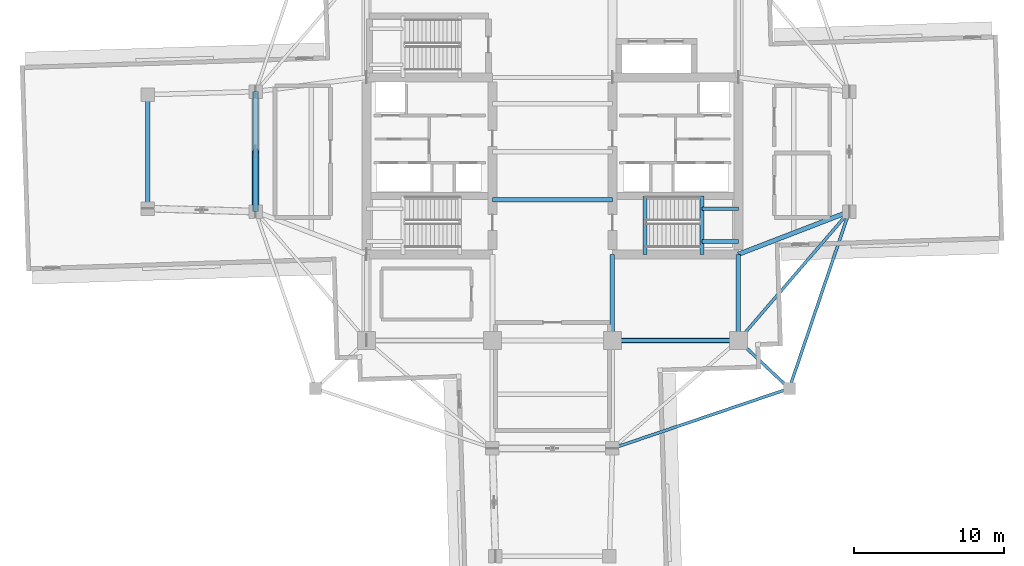
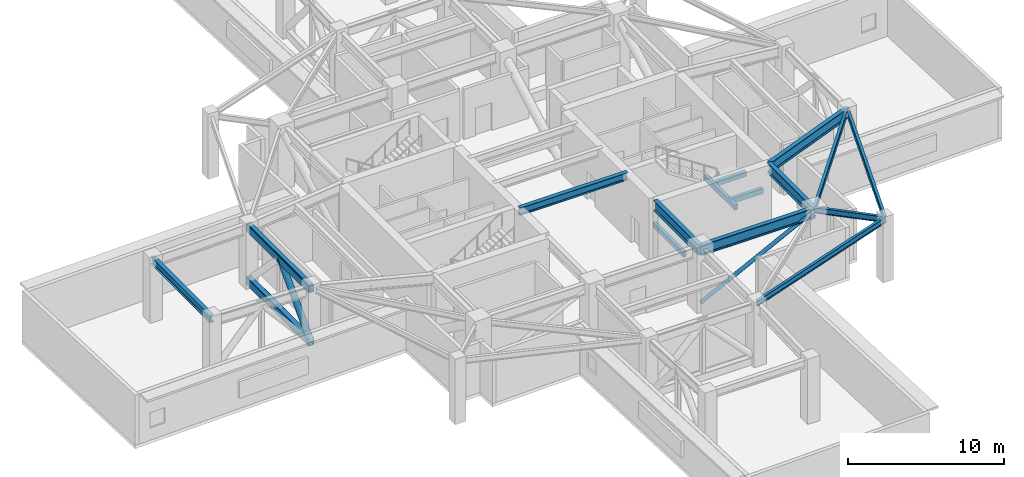
# One storey, part 3 of 17: 15 beams, 4 members.
"""IFC4 building model written with IfcOpenShell, lengths in metres."""

from ifc_helpers import new_model, si_unit, direction, frame, origin, origin_2d, place, context, subcontext, project, spatial, rectangle, hollow_rectangle, hollow_circle, i_section, extrude, material, material_profile, profile_set, type_object, element, save


model = new_model("IFC4")

# Units and contexts
model_context = context("Model", 3, precision=1e-05, world=origin(), true_north=direction((0.0, 1.0)))
body_context = subcontext(model_context, "Body", "Model", "MODEL_VIEW")
ifc_project = project(units=[si_unit("LENGTHUNIT", "METRE"), si_unit("AREAUNIT", "SQUARE_METRE"), si_unit("VOLUMEUNIT", "CUBIC_METRE"), si_unit("PLANEANGLEUNIT", "RADIAN"), si_unit("MASSUNIT", "GRAM", prefix="KILO")], contexts=[model_context])

# Site, building, storey
site_placement = place(None, origin())
site = spatial("IfcSite", under=ifc_project, at=site_placement, CompositionType="ELEMENT")
building_placement = place(site_placement, origin())
building = spatial("IfcBuilding", under=site, at=building_placement, Name="Qingluan Cross Belvedere", CompositionType="ELEMENT")
storey_placement = place(building_placement, frame((0.0, 0.0, 191.699951171875)))
storey = spatial("IfcBuildingStorey", under=building, at=storey_placement, Name="L48", CompositionType="ELEMENT", Elevation=191.699951171875)

# Beams
ifc_material_1 = material(Name="Concrete C45", Category="concrete")
ifc_material_profile_1 = material_profile(ifc_material_1, rectangle(XDim=0.25, YDim=0.39990234375, at=origin_2d()), Name="RC250x400")
ifc_profile_set_1 = profile_set([ifc_material_profile_1], Name="Concrete C45")
beam_type_1 = type_object("IfcBeamType", Name="RC_Lintel_RC250x400", PredefinedType="LINTEL", material=ifc_profile_set_1)
for number, where, z_axis, x_axis, name in (
    (1, (6.179931640625, -6.85009765625, -0.199951171875), (0.0, 1.0, 0.0), (-1.0, 0.0, 0.0), "Stair ST2 landing beam L48"),
    (2, (9.969970703125, -6.85009765625, 2.150146484375), (0.0, 1.0, 0.0), (-1.0, 0.0, 0.0), "Stair ST2 beam A L48"),
):
    element("IfcBeam", number, at=place(storey_placement, frame(where, z_axis=z_axis, x_axis=x_axis)), inside=storey, type_object=beam_type_1, Name=name, PredefinedType="LINTEL", context=body_context, shape_type="SweptSolid", body=[
        extrude(rectangle(XDim=0.25, YDim=0.39990234375, at=origin_2d()), origin(), (0.0, 0.0, 1.0), 3.89013671875),
    ])
for number, where, z_axis, x_axis, name in (
    (3, (12.39990234375, -6.0, 2.150146484375), (-1.0, 0.0, 0.0), (0.0, -1.0, 0.0), "Stair ST2 beam B L48"),
    (4, (12.39990234375, -3.81005859375, 2.150146484375), (-1.0, 0.0, 0.0), (0.0, -1.0, 0.0), "Stair ST2 beam C L48"),
):
    element("IfcBeam", number, at=place(storey_placement, frame(where, z_axis=z_axis, x_axis=x_axis)), inside=storey, type_object=beam_type_1, Name=name, PredefinedType="LINTEL", context=body_context, shape_type="SweptSolid", body=[
        extrude(rectangle(XDim=0.25, YDim=0.39990234375, at=origin_2d()), origin(), (0.0, 0.0, 1.0), 2.429931640625),
    ])

# Members
ifc_material_2 = material(Name="Steel Q420GJB", Category="steel")
ifc_material_profile_2 = material_profile(ifc_material_2, hollow_circle(Radius=0.228515625, WallThickness=0.02001953125, at=origin_2d()), Name="CHS457x20")
ifc_profile_set_2 = profile_set([ifc_material_profile_2], Name="Steel Q420GJB")
member_type_1 = type_object("IfcMemberType", Name="SteelMember_BRACE_CHS457x20", PredefinedType="BRACE", material=ifc_profile_set_2)
member_1_placement = place(storey_placement, frame((-19.800048828125, -4.0, 0.35009765625), z_axis=(0.0, 0.693983482825, 0.719990920475), x_axis=(-1.0, 0.0, 0.0)))
element("IfcMember", 5, at=member_1_placement, inside=storey, type_object=member_type_1, Name="Belt truss diagonal A L48-W", PredefinedType="BRACE", context=body_context, shape_type="SweptSolid", body=[
    extrude(hollow_circle(Radius=0.228515625, WallThickness=0.02001953125, at=origin_2d()), origin(), (0.0, 0.0, 1.0), 5.763916015625),
])
ifc_material_3 = material(Name="Steel Q420GJB", Category="steel")
ifc_material_profile_3 = material_profile(ifc_material_3, hollow_rectangle(XDim=0.39990234375, YDim=0.60009765625, WallThickness=0.02490234375, InnerFilletRadius=0.02490234375, OuterFilletRadius=0.050048828125, at=origin_2d()), Name="RHS600x400x25")
ifc_profile_set_3 = profile_set([ifc_material_profile_3], Name="Steel Q420GJB")
member_type_2 = type_object("IfcMemberType", Name="SteelMember_CHORD_RHS600x400x25", PredefinedType="CHORD", material=ifc_profile_set_3)
for number, where, z_axis, x_axis, name in (
    (6, (-19.800048828125, -4.0, 0.35009765625), (0.0, 1.0, 0.0), (-1.0, 0.0, 0.0), "Belt truss bottom chord L48-W"),
    (7, (-19.800048828125, -4.0, 4.5), (0.0, 1.0, 0.0), (-1.0, 0.0, 0.0), "Belt truss top chord L48-W"),
):
    element("IfcMember", number, at=place(storey_placement, frame(where, z_axis=z_axis, x_axis=x_axis)), inside=storey, type_object=member_type_2, Name=name, PredefinedType="CHORD", context=body_context, shape_type="SweptSolid", body=[
        extrude(hollow_rectangle(XDim=0.39990234375, YDim=0.60009765625, WallThickness=0.02490234375, InnerFilletRadius=0.02490234375, OuterFilletRadius=0.050048828125, at=origin_2d()), origin(), (0.0, 0.0, 1.0), 8.0),
    ])
ifc_material_4 = material(Name="Steel Q420GJB", Category="steel")
ifc_material_profile_4 = material_profile(ifc_material_4, hollow_circle(Radius=0.136474609375, WallThickness=0.011962890625, at=origin_2d()), Name="CHS273x12")
ifc_profile_set_4 = profile_set([ifc_material_profile_4], Name="Steel Q420GJB")
member_type_3 = type_object("IfcMemberType", Name="SteelMember_STRUT_CHS273x12", PredefinedType="STRUT", material=ifc_profile_set_4)
member_2_placement = place(storey_placement, frame((4.0, -12.60009765625, 0.300048828125), z_axis=(0.892290477913, 0.0, 0.45146174038), x_axis=(0.0, 1.0, 0.0)))
element("IfcMember", 8, at=member_2_placement, inside=storey, type_object=member_type_3, Name="Refuge hub lateral strut L48-SE", PredefinedType="STRUT", context=body_context, shape_type="SweptSolid", body=[
    extrude(hollow_circle(Radius=0.136474609375, WallThickness=0.011962890625, at=origin_2d()), origin(), (0.0, 0.0, 1.0), 9.413818359375),
])

# Beams
ifc_material_5 = material(Name="Steel Q420GJB", Category="steel")
ifc_material_profile_5 = material_profile(ifc_material_5, i_section(OverallWidth=0.300048828125, OverallDepth=0.587890625, WebThickness=0.011962890625, FlangeThickness=0.02001953125, FilletRadius=0.02392578125, at=origin_2d()), Name="HM588x300x12x20")
ifc_profile_set_5 = profile_set([ifc_material_profile_5], Name="Steel Q420GJB")
beam_type_2 = type_object("IfcBeamType", Name="Steel_Beam_HM588x300x12x20", PredefinedType="BEAM", material=ifc_profile_set_5)
for number, where, z_axis, x_axis, name in (
    (9, (-4.0, -3.199951171875, 4.55615234375), (1.0, 0.0, 0.0), (0.0, 1.0, 0.0), "Hall beam L48-CH1"),
    (10, (-19.800048828125, -4.0, 4.55615234375), (0.0, 1.0, 0.0), (-1.0, 0.0, 0.0), "Arm W tie L48"),
):
    element("IfcBeam", number, at=place(storey_placement, frame(where, z_axis=z_axis, x_axis=x_axis)), inside=storey, type_object=beam_type_2, Name=name, PredefinedType="BEAM", context=body_context, shape_type="SweptSolid", body=[
        extrude(i_section(OverallWidth=0.300048828125, OverallDepth=0.587890625, WebThickness=0.011962890625, FlangeThickness=0.02001953125, FilletRadius=0.02392578125, at=origin_2d()), origin(), (0.0, 0.0, 1.0), 8.0),
    ])
beam_1_placement = place(storey_placement, frame((-27.0, -3.800048828125, 4.55615234375), z_axis=(0.0, 1.0, 0.0), x_axis=(-1.0, 0.0, 0.0)))
element("IfcBeam", 11, at=beam_1_placement, inside=storey, type_object=beam_type_2, Name="Arm W tip transverse beam L48", PredefinedType="BEAM", context=body_context, shape_type="SweptSolid", body=[
    extrude(i_section(OverallWidth=0.300048828125, OverallDepth=0.587890625, WebThickness=0.011962890625, FlangeThickness=0.02001953125, FilletRadius=0.02392578125, at=origin_2d()), origin(), (0.0, 0.0, 1.0), 7.60009765625),
])
ifc_material_6 = material(Name="Steel Q420GJB", Category="steel")
ifc_material_profile_6 = material_profile(ifc_material_6, i_section(OverallWidth=0.199951171875, OverallDepth=0.449951171875, WebThickness=0.009033203125, FlangeThickness=0.013916015625, FilletRadius=0.01611328125, at=origin_2d()), Name="HN450x200x9x14")
ifc_profile_set_6 = profile_set([ifc_material_profile_6], Name="Steel Q420GJB")
beam_type_3 = type_object("IfcBeamType", Name="Steel_Beam_HN450x200x9x14", PredefinedType="JOIST", material=ifc_profile_set_6)
beam_2_placement = place(storey_placement, frame((12.39990234375, -12.60009765625, 4.625), z_axis=(0.728219948308, -0.685343495546, 0.0), x_axis=(0.685343495546, 0.728219948308, 0.0)))
element("IfcBeam", 12, at=beam_2_placement, inside=storey, type_object=beam_type_3, Name="Corner beam 1 L48-RSE", PredefinedType="JOIST", context=body_context, shape_type="SweptSolid", body=[
    extrude(i_section(OverallWidth=0.199951171875, OverallDepth=0.449951171875, WebThickness=0.009033203125, FlangeThickness=0.013916015625, FilletRadius=0.01611328125, at=origin_2d()), origin(), (0.0, 0.0, 1.0), 4.669189453125),
])
for number, where, z_axis, x_axis, name in (
    (13, (15.800048828125, -15.800048828125, 4.625), (-0.947066283324, -0.321038089628, 0.0), (0.321038089628, -0.947066283324, 0.0), "Corner beam 2 L48-RSE"),
    (14, (15.800048828125, -15.800048828125, 4.625), (0.321038089628, 0.947066283324, 0.0), (-0.947066283324, 0.321038089628, 0.0), "Corner beam 3 L48-RSE"),
):
    element("IfcBeam", number, at=place(storey_placement, frame(where, z_axis=z_axis, x_axis=x_axis)), inside=storey, type_object=beam_type_3, Name=name, PredefinedType="JOIST", context=body_context, shape_type="SweptSolid", body=[
        extrude(i_section(OverallWidth=0.199951171875, OverallDepth=0.449951171875, WebThickness=0.009033203125, FlangeThickness=0.013916015625, FilletRadius=0.01611328125, at=origin_2d()), origin(), (0.0, 0.0, 1.0), 12.45947265625),
    ])
beam_3_placement = place(storey_placement, frame((12.39990234375, -12.60009765625, 4.625), z_axis=(0.652245077546, 0.75800815221, 0.0), x_axis=(-0.75800815221, 0.652245077546, 0.0)))
element("IfcBeam", 15, at=beam_3_placement, inside=storey, type_object=beam_type_3, Name="Corner beam 4 L48-RSE", PredefinedType="JOIST", context=body_context, shape_type="SweptSolid", body=[
    extrude(i_section(OverallWidth=0.199951171875, OverallDepth=0.449951171875, WebThickness=0.009033203125, FlangeThickness=0.013916015625, FilletRadius=0.01611328125, at=origin_2d()), origin(), (0.0, 0.0, 1.0), 11.345703125),
])
ifc_material_7 = material(Name="Steel Q420GJB", Category="steel")
ifc_material_profile_7 = material_profile(ifc_material_7, i_section(OverallWidth=0.305908203125, OverallDepth=0.81396484375, WebThickness=0.02099609375, FlangeThickness=0.0400390625, FilletRadius=0.030029296875, at=origin_2d()), Name="HEM800")
ifc_profile_set_7 = profile_set([ifc_material_profile_7], Name="Steel Q420GJB")
beam_type_4 = type_object("IfcBeamType", Name="Steel_Girder_HEM800", PredefinedType="USERDEFINED", material=ifc_profile_set_7)
beam_4_placement = place(storey_placement, frame((4.0, -12.60009765625, 4.443115234375), z_axis=(1.0, 0.0, 0.0), x_axis=(0.0, 1.0, 0.0)))
element("IfcBeam", 16, at=beam_4_placement, inside=storey, type_object=beam_type_4, Name="Hub girder L48-HG-S3", ObjectType="GIRDER", PredefinedType="USERDEFINED", context=body_context, shape_type="SweptSolid", body=[
    extrude(i_section(OverallWidth=0.305908203125, OverallDepth=0.81396484375, WebThickness=0.02099609375, FlangeThickness=0.0400390625, FilletRadius=0.030029296875, at=origin_2d()), origin(), (0.0, 0.0, 1.0), 8.39990234375),
])
for number, where, z_axis, x_axis, name in (
    (17, (12.39990234375, -12.60009765625, 4.443115234375), (0.0, 1.0, 0.0), (-1.0, 0.0, 0.0), "Hub girder L48-HG-E1"),
    (18, (4.0, -12.60009765625, 4.443115234375), (0.0, 1.0, 0.0), (-1.0, 0.0, 0.0), "Hub girder L48-HG-CE"),
):
    element("IfcBeam", number, at=place(storey_placement, frame(where, z_axis=z_axis, x_axis=x_axis)), inside=storey, type_object=beam_type_4, Name=name, ObjectType="GIRDER", PredefinedType="USERDEFINED", context=body_context, shape_type="SweptSolid", body=[
        extrude(i_section(OverallWidth=0.305908203125, OverallDepth=0.81396484375, WebThickness=0.02099609375, FlangeThickness=0.0400390625, FilletRadius=0.030029296875, at=origin_2d()), origin(), (0.0, 0.0, 1.0), 5.75),
    ])
beam_5_placement = place(storey_placement, frame((12.39990234375, -6.85009765625, 4.443115234375), z_axis=(0.933181258889, 0.359406090735, 0.0), x_axis=(-0.359406090735, 0.933181258889, 0.0)))
element("IfcBeam", 19, at=beam_5_placement, inside=storey, type_object=beam_type_4, Name="Arm E radial girder A L48", ObjectType="GIRDER", PredefinedType="USERDEFINED", context=body_context, shape_type="SweptSolid", body=[
    extrude(i_section(OverallWidth=0.305908203125, OverallDepth=0.81396484375, WebThickness=0.02099609375, FlangeThickness=0.0400390625, FilletRadius=0.030029296875, at=origin_2d()), origin(), (0.0, 0.0, 1.0), 7.929931640625),
])

save(model, "model.ifc")
